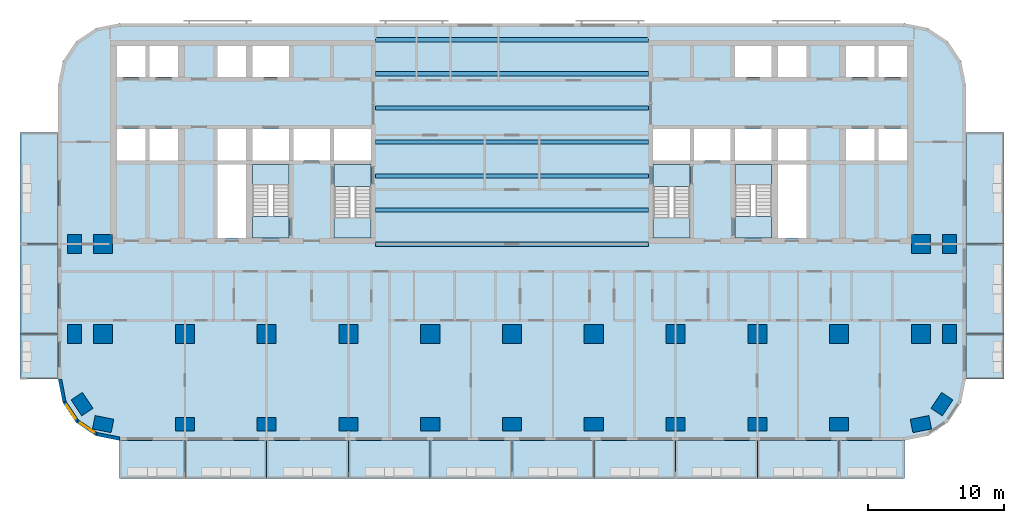
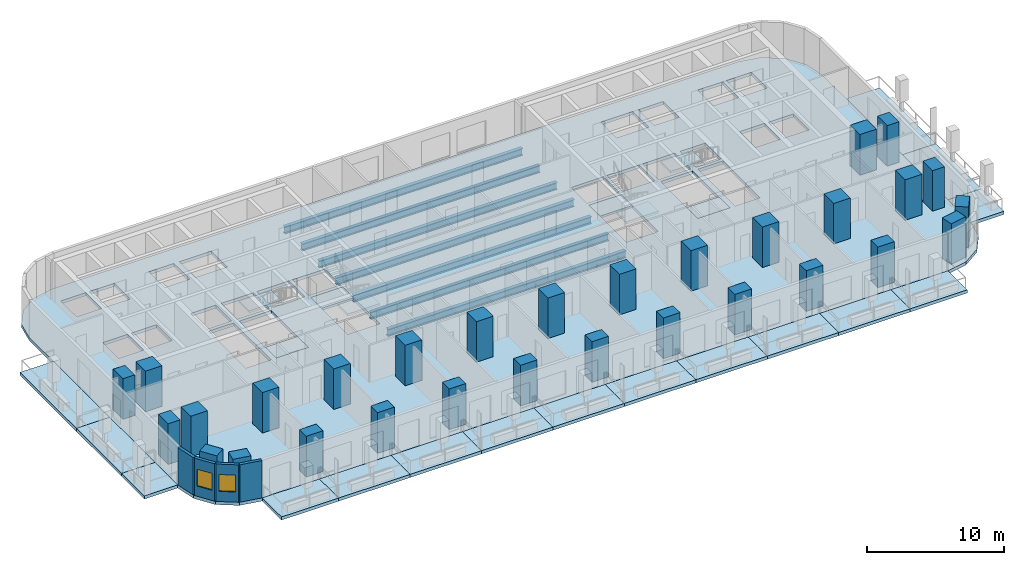
# One storey, part 1 of 14: 30 columns, 25 slabs, 7 beams, 4 walls, 2 windows, 2 openings, 4 elements without a shape of their own.
"""IFC4 building model written with IfcOpenShell, lengths in metres."""

from ifc_helpers import new_model, si_unit, direction, frame, frame_2d, origin, origin_2d, place, context, subcontext, project, spatial, polyline, rectangle, i_section, outline, extrude, material, layer, layer_set, material_profile, profile_set, type_object, element, fill, aggregate, save


model = new_model("IFC4")

# Units and contexts
model_context = context("Model", 3, precision=1e-05, world=origin(), true_north=direction((0.0, 1.0)))
body_context = subcontext(model_context, "Body", "Model", "MODEL_VIEW")
ifc_project = project(units=[si_unit("LENGTHUNIT", "METRE"), si_unit("AREAUNIT", "SQUARE_METRE"), si_unit("VOLUMEUNIT", "CUBIC_METRE"), si_unit("PLANEANGLEUNIT", "RADIAN"), si_unit("MASSUNIT", "GRAM", prefix="KILO")], contexts=[model_context])

# Site, building, storey
site_placement = place(None, origin())
site = spatial("IfcSite", under=ifc_project, at=site_placement, CompositionType="ELEMENT")
building_placement = place(site_placement, origin())
building = spatial("IfcBuilding", under=site, at=building_placement, Name="Torana Hotel and Residences", CompositionType="ELEMENT")
storey_placement = place(building_placement, frame((0.0, 0.0, 96.0)))
storey = spatial("IfcBuildingStorey", under=building, at=storey_placement, Name="L24", CompositionType="ELEMENT", Elevation=96.0)

# Columns
ifc_material_1 = material(Name="Concrete C70/85", Category="concrete")
ifc_material_profile_1 = material_profile(ifc_material_1, rectangle(XDim=1.39990234375, YDim=1.0, at=origin_2d()), Name="RC 1400x1000")
ifc_profile_set_1 = profile_set([ifc_material_profile_1], Name="Concrete C70/85")
column_type_1 = type_object("IfcColumnType", Name="COLUMN RC 1400x1000 C70/85", PredefinedType="COLUMN", material=ifc_profile_set_1)
for number, where, z_axis, x_axis, name in (
    (1, (-32.10009765625, -21.60009765625, 0.0), (0.0, 0.0, 1.0), (0.0, 1.0, 0.0), "Column L24"),
    (2, (-32.10009765625, -15.0, 0.0), (0.0, 0.0, 1.0), (0.0, 1.0, 0.0), "Column L24"),
    (3, (-31.5439453125, -26.73291015625, 0.0), (0.0, 0.0, 1.0), (-0.555584744817, 0.831459915646, 0.0), "Column L24"),
    (4, (-30.0, -28.199951171875, 0.0), (0.0, 0.0, 1.0), (-0.980792089743, 0.195056086032, 0.0), "Column L24"),
    (5, (-24.0, -28.199951171875, 0.0), (0.0, 0.0, 1.0), (1.0, 0.0, 0.0), "Column L24"),
    (6, (-18.0, -28.199951171875, 0.0), (0.0, 0.0, 1.0), (1.0, 0.0, 0.0), "Column L24"),
    (7, (-12.0, -28.199951171875, 0.0), (0.0, 0.0, 1.0), (1.0, 0.0, 0.0), "Column L24"),
    (8, (-6.0, -28.199951171875, 0.0), (0.0, 0.0, 1.0), (1.0, 0.0, 0.0), "Column L24"),
    (9, (0.0, -28.199951171875, 0.0), (0.0, 0.0, 1.0), (1.0, 0.0, 0.0), "Column L24"),
    (10, (6.0, -28.199951171875, 0.0), (0.0, 0.0, 1.0), (1.0, 0.0, 0.0), "Column L24"),
    (11, (12.0, -28.199951171875, 0.0), (0.0, 0.0, 1.0), (1.0, 0.0, 0.0), "Column L24"),
    (12, (18.0, -28.199951171875, 0.0), (0.0, 0.0, 1.0), (1.0, 0.0, 0.0), "Column L24"),
    (13, (24.0, -28.199951171875, 0.0), (0.0, 0.0, 1.0), (1.0, 0.0, 0.0), "Column L24"),
    (14, (30.0, -28.199951171875, 0.0), (0.0, 0.0, 1.0), (0.980792089743, 0.195056086032, 0.0), "Column L24"),
    (15, (31.5439453125, -26.73291015625, 0.0), (0.0, 0.0, 1.0), (0.555584744817, 0.831459915646, 0.0), "Column L24"),
    (16, (32.10009765625, -21.60009765625, 0.0), (0.0, 0.0, 1.0), (0.0, 1.0, 0.0), "Column L24"),
    (17, (32.10009765625, -15.0, 0.0), (0.0, 0.0, 1.0), (0.0, 1.0, 0.0), "Column L24"),
):
    element("IfcColumn", number, at=place(storey_placement, frame(where, z_axis=z_axis, x_axis=x_axis)), inside=storey, type_object=column_type_1, Name=name, PredefinedType="COLUMN", context=body_context, shape_type="SweptSolid", body=[
        extrude(rectangle(XDim=1.39990234375, YDim=1.0, at=origin_2d()), origin(), (0.0, 0.0, 1.0), 3.60009765625),
    ])
ifc_material_2 = material(Name="Concrete C70/85", Category="concrete")
ifc_material_profile_2 = material_profile(ifc_material_2, rectangle(XDim=1.39990234375, YDim=1.39990234375, at=origin_2d()), Name="RC 1400x1400")
ifc_profile_set_2 = profile_set([ifc_material_profile_2], Name="Concrete C70/85")
column_type_2 = type_object("IfcColumnType", Name="COLUMN RC 1400x1400 C70/85", PredefinedType="COLUMN", material=ifc_profile_set_2)
for number, where, z_axis, x_axis, name in (
    (18, (-30.0, -21.60009765625, 0.0), (0.0, 0.0, 1.0), (1.0, 0.0, 0.0), "Column L24"),
    (19, (-30.0, -15.0, 0.0), (0.0, 0.0, 1.0), (1.0, 0.0, 0.0), "Column L24"),
    (20, (-24.0, -21.60009765625, 0.0), (0.0, 0.0, 1.0), (1.0, 0.0, 0.0), "Column L24"),
    (21, (-18.0, -21.60009765625, 0.0), (0.0, 0.0, 1.0), (1.0, 0.0, 0.0), "Column L24"),
    (22, (-12.0, -21.60009765625, 0.0), (0.0, 0.0, 1.0), (1.0, 0.0, 0.0), "Column L24"),
    (23, (-6.0, -21.60009765625, 0.0), (0.0, 0.0, 1.0), (1.0, 0.0, 0.0), "Column L24"),
    (24, (0.0, -21.60009765625, 0.0), (0.0, 0.0, 1.0), (1.0, 0.0, 0.0), "Column L24"),
    (25, (6.0, -21.60009765625, 0.0), (0.0, 0.0, 1.0), (1.0, 0.0, 0.0), "Column L24"),
    (26, (12.0, -21.60009765625, 0.0), (0.0, 0.0, 1.0), (1.0, 0.0, 0.0), "Column L24"),
    (27, (18.0, -21.60009765625, 0.0), (0.0, 0.0, 1.0), (1.0, 0.0, 0.0), "Column L24"),
    (28, (24.0, -21.60009765625, 0.0), (0.0, 0.0, 1.0), (1.0, 0.0, 0.0), "Column L24"),
    (29, (30.0, -21.60009765625, 0.0), (0.0, 0.0, 1.0), (1.0, 0.0, 0.0), "Column L24"),
    (30, (30.0, -15.0, 0.0), (0.0, 0.0, 1.0), (1.0, 0.0, 0.0), "Column L24"),
):
    element("IfcColumn", number, at=place(storey_placement, frame(where, z_axis=z_axis, x_axis=x_axis)), inside=storey, type_object=column_type_2, Name=name, PredefinedType="COLUMN", context=body_context, shape_type="SweptSolid", body=[
        extrude(rectangle(XDim=1.39990234375, YDim=1.39990234375, at=origin_2d()), origin(), (0.0, 0.0, 1.0), 3.60009765625),
    ])

# Beams
ifc_material_3 = material(Name="Steel S355", Category="steel")
ifc_material_profile_3 = material_profile(ifc_material_3, i_section(OverallWidth=0.311279296875, OverallDepth=0.6357421875, WebThickness=0.018310546875, FlangeThickness=0.031494140625, FilletRadius=0.0166015625, at=origin_2d()), Name="610x305x238 UB")
ifc_profile_set_3 = profile_set([ifc_material_profile_3], Name="Steel S355")
beam_type = type_object("IfcBeamType", Name="STEEL GIRDER 610x305x238 UB", PredefinedType="BEAM", material=ifc_profile_set_3)
for number, where, z_axis, x_axis, name in (
    (31, (-10.0, -15.0, -0.597900390625), (1.0, 0.0, 0.0), (0.0, 1.0, 0.0), "Floor girder"),
    (32, (-10.0, -12.5, -0.597900390625), (1.0, 0.0, 0.0), (0.0, 1.0, 0.0), "Floor girder"),
    (33, (-10.0, -10.0, -0.597900390625), (1.0, 0.0, 0.0), (0.0, 1.0, 0.0), "Floor girder"),
    (34, (-10.0, -7.5, -0.597900390625), (1.0, 0.0, 0.0), (0.0, 1.0, 0.0), "Floor girder"),
    (35, (-10.0, -5.0, -0.597900390625), (1.0, 0.0, 0.0), (0.0, 1.0, 0.0), "Floor girder"),
    (36, (-10.0, -2.5, -0.597900390625), (1.0, 0.0, 0.0), (0.0, 1.0, 0.0), "Floor girder"),
    (37, (-10.0, 0.0, -0.597900390625), (1.0, 0.0, 0.0), (0.0, 1.0, 0.0), "Floor girder"),
):
    element("IfcBeam", number, at=place(storey_placement, frame(where, z_axis=z_axis, x_axis=x_axis)), inside=storey, type_object=beam_type, Name=name, PredefinedType="BEAM", context=body_context, shape_type="SweptSolid", body=[
        extrude(i_section(OverallWidth=0.311279296875, OverallDepth=0.6357421875, WebThickness=0.018310546875, FlangeThickness=0.031494140625, FilletRadius=0.0166015625, at=origin_2d()), origin(), (0.0, 0.0, 1.0), 20.0),
    ])

# Slabs
ifc_material_4 = material(Name="Concrete C40/50", Category="concrete")
ifc_layer_1 = layer(ifc_material_4, 0.280029296875)
ifc_layer_set_1 = layer_set([ifc_layer_1], Name="BAL1 BALCONY SLAB 280")
slab_type_1 = type_object("IfcSlabType", Name="BAL1 BALCONY SLAB 280", PredefinedType="USERDEFINED", material=ifc_layer_set_1)
slab_1_placement = place(storey_placement, frame((0.0, 0.0, -0.280029296875)))
element("IfcSlab", 38, at=slab_1_placement, inside=storey, type_object=slab_type_1, Name="Balcony 01", ObjectType="BALCONY", PredefinedType="USERDEFINED", context=body_context, shape_type="SweptSolid", body=[
    extrude(outline(polyline([(-28.800048828125, -32.199951171875), (-24.0, -32.199951171875), (-24.0, -29.39990234375), (-28.800048828125, -29.39990234375), (-28.800048828125, -32.199951171875)])), origin(), (0.0, 0.0, 1.0), 0.280029296875),
])
slab_2_placement = place(storey_placement, frame((0.0, 0.0, -0.280029296875)))
element("IfcSlab", 39, at=slab_2_placement, inside=storey, type_object=slab_type_1, Name="Balcony 02", ObjectType="BALCONY", PredefinedType="USERDEFINED", context=body_context, shape_type="SweptSolid", body=[
    extrude(outline(polyline([(-24.0, -32.199951171875), (-18.0, -32.199951171875), (-18.0, -29.39990234375), (-24.0, -29.39990234375), (-24.0, -32.199951171875)])), origin(), (0.0, 0.0, 1.0), 0.280029296875),
])
slab_3_placement = place(storey_placement, frame((0.0, 0.0, -0.280029296875)))
element("IfcSlab", 40, at=slab_3_placement, inside=storey, type_object=slab_type_1, Name="Balcony 03", ObjectType="BALCONY", PredefinedType="USERDEFINED", context=body_context, shape_type="SweptSolid", body=[
    extrude(outline(polyline([(-18.0, -32.199951171875), (-12.0, -32.199951171875), (-12.0, -29.39990234375), (-18.0, -29.39990234375), (-18.0, -32.199951171875)])), origin(), (0.0, 0.0, 1.0), 0.280029296875),
])
slab_4_placement = place(storey_placement, frame((0.0, 0.0, -0.280029296875)))
element("IfcSlab", 41, at=slab_4_placement, inside=storey, type_object=slab_type_1, Name="Balcony 04", ObjectType="BALCONY", PredefinedType="USERDEFINED", context=body_context, shape_type="SweptSolid", body=[
    extrude(outline(polyline([(-12.0, -32.199951171875), (-6.0, -32.199951171875), (-6.0, -29.39990234375), (-12.0, -29.39990234375), (-12.0, -32.199951171875)])), origin(), (0.0, 0.0, 1.0), 0.280029296875),
])
slab_5_placement = place(storey_placement, frame((0.0, 0.0, -0.280029296875)))
element("IfcSlab", 42, at=slab_5_placement, inside=storey, type_object=slab_type_1, Name="Balcony 05", ObjectType="BALCONY", PredefinedType="USERDEFINED", context=body_context, shape_type="SweptSolid", body=[
    extrude(outline(polyline([(-6.0, -32.199951171875), (0.0, -32.199951171875), (0.0, -29.39990234375), (-6.0, -29.39990234375), (-6.0, -32.199951171875)])), origin(), (0.0, 0.0, 1.0), 0.280029296875),
])
slab_6_placement = place(storey_placement, frame((0.0, 0.0, -0.280029296875)))
element("IfcSlab", 43, at=slab_6_placement, inside=storey, type_object=slab_type_1, Name="Balcony 06", ObjectType="BALCONY", PredefinedType="USERDEFINED", context=body_context, shape_type="SweptSolid", body=[
    extrude(outline(polyline([(0.0, -32.199951171875), (6.0, -32.199951171875), (6.0, -29.39990234375), (0.0, -29.39990234375), (0.0, -32.199951171875)])), origin(), (0.0, 0.0, 1.0), 0.280029296875),
])
slab_7_placement = place(storey_placement, frame((0.0, 0.0, -0.280029296875)))
element("IfcSlab", 44, at=slab_7_placement, inside=storey, type_object=slab_type_1, Name="Balcony 07", ObjectType="BALCONY", PredefinedType="USERDEFINED", context=body_context, shape_type="SweptSolid", body=[
    extrude(outline(polyline([(6.0, -32.199951171875), (12.0, -32.199951171875), (12.0, -29.39990234375), (6.0, -29.39990234375), (6.0, -32.199951171875)])), origin(), (0.0, 0.0, 1.0), 0.280029296875),
])
slab_8_placement = place(storey_placement, frame((0.0, 0.0, -0.280029296875)))
element("IfcSlab", 45, at=slab_8_placement, inside=storey, type_object=slab_type_1, Name="Balcony 08", ObjectType="BALCONY", PredefinedType="USERDEFINED", context=body_context, shape_type="SweptSolid", body=[
    extrude(outline(polyline([(12.0, -32.199951171875), (18.0, -32.199951171875), (18.0, -29.39990234375), (12.0, -29.39990234375), (12.0, -32.199951171875)])), origin(), (0.0, 0.0, 1.0), 0.280029296875),
])
slab_9_placement = place(storey_placement, frame((0.0, 0.0, -0.280029296875)))
element("IfcSlab", 46, at=slab_9_placement, inside=storey, type_object=slab_type_1, Name="Balcony 09", ObjectType="BALCONY", PredefinedType="USERDEFINED", context=body_context, shape_type="SweptSolid", body=[
    extrude(outline(polyline([(18.0, -32.199951171875), (24.0, -32.199951171875), (24.0, -29.39990234375), (18.0, -29.39990234375), (18.0, -32.199951171875)])), origin(), (0.0, 0.0, 1.0), 0.280029296875),
])
slab_10_placement = place(storey_placement, frame((0.0, 0.0, -0.280029296875)))
element("IfcSlab", 47, at=slab_10_placement, inside=storey, type_object=slab_type_1, Name="Balcony 10", ObjectType="BALCONY", PredefinedType="USERDEFINED", context=body_context, shape_type="SweptSolid", body=[
    extrude(outline(polyline([(24.0, -32.199951171875), (28.800048828125, -32.199951171875), (28.800048828125, -29.39990234375), (24.0, -29.39990234375), (24.0, -32.199951171875)])), origin(), (0.0, 0.0, 1.0), 0.280029296875),
])
slab_11_placement = place(storey_placement, frame((0.0, 0.0, -0.280029296875)))
element("IfcSlab", 48, at=slab_11_placement, inside=storey, type_object=slab_type_1, Name="Balcony 11", ObjectType="BALCONY", PredefinedType="USERDEFINED", context=body_context, shape_type="SweptSolid", body=[
    extrude(outline(polyline([(-36.10009765625, -24.89990234375), (-33.300048828125, -24.89990234375), (-33.300048828125, -21.60009765625), (-36.10009765625, -21.60009765625), (-36.10009765625, -24.89990234375)])), origin(), (0.0, 0.0, 1.0), 0.280029296875),
])
slab_12_placement = place(storey_placement, frame((0.0, 0.0, -0.280029296875)))
element("IfcSlab", 49, at=slab_12_placement, inside=storey, type_object=slab_type_1, Name="Balcony 12", ObjectType="BALCONY", PredefinedType="USERDEFINED", context=body_context, shape_type="SweptSolid", body=[
    extrude(outline(polyline([(-36.10009765625, -21.60009765625), (-33.300048828125, -21.60009765625), (-33.300048828125, -15.0), (-36.10009765625, -15.0), (-36.10009765625, -21.60009765625)])), origin(), (0.0, 0.0, 1.0), 0.280029296875),
])
slab_13_placement = place(storey_placement, frame((0.0, 0.0, -0.280029296875)))
element("IfcSlab", 50, at=slab_13_placement, inside=storey, type_object=slab_type_1, Name="Balcony 13", ObjectType="BALCONY", PredefinedType="USERDEFINED", context=body_context, shape_type="SweptSolid", body=[
    extrude(outline(polyline([(-36.10009765625, -15.0), (-33.300048828125, -15.0), (-33.300048828125, -6.800048828125), (-36.10009765625, -6.800048828125), (-36.10009765625, -15.0)])), origin(), (0.0, 0.0, 1.0), 0.280029296875),
])
slab_14_placement = place(storey_placement, frame((0.0, 0.0, -0.280029296875)))
element("IfcSlab", 51, at=slab_14_placement, inside=storey, type_object=slab_type_1, Name="Balcony 14", ObjectType="BALCONY", PredefinedType="USERDEFINED", context=body_context, shape_type="SweptSolid", body=[
    extrude(outline(polyline([(33.300048828125, -24.89990234375), (36.10009765625, -24.89990234375), (36.10009765625, -21.60009765625), (33.300048828125, -21.60009765625), (33.300048828125, -24.89990234375)])), origin(), (0.0, 0.0, 1.0), 0.280029296875),
])
slab_15_placement = place(storey_placement, frame((0.0, 0.0, -0.280029296875)))
element("IfcSlab", 52, at=slab_15_placement, inside=storey, type_object=slab_type_1, Name="Balcony 15", ObjectType="BALCONY", PredefinedType="USERDEFINED", context=body_context, shape_type="SweptSolid", body=[
    extrude(outline(polyline([(33.300048828125, -21.60009765625), (36.10009765625, -21.60009765625), (36.10009765625, -15.0), (33.300048828125, -15.0), (33.300048828125, -21.60009765625)])), origin(), (0.0, 0.0, 1.0), 0.280029296875),
])
slab_16_placement = place(storey_placement, frame((0.0, 0.0, -0.280029296875)))
element("IfcSlab", 53, at=slab_16_placement, inside=storey, type_object=slab_type_1, Name="Balcony 16", ObjectType="BALCONY", PredefinedType="USERDEFINED", context=body_context, shape_type="SweptSolid", body=[
    extrude(outline(polyline([(33.300048828125, -15.0), (36.10009765625, -15.0), (36.10009765625, -6.800048828125), (33.300048828125, -6.800048828125), (33.300048828125, -15.0)])), origin(), (0.0, 0.0, 1.0), 0.280029296875),
])
ifc_material_5 = material(Name="Concrete C40/50", Category="concrete")
ifc_layer_2 = layer(ifc_material_5, 0.280029296875)
ifc_layer_set_2 = layer_set([ifc_layer_2], Name="FLOOR SLAB PT 280")
slab_type_2 = type_object("IfcSlabType", Name="FLOOR SLAB PT 280", PredefinedType="FLOOR", material=ifc_layer_set_2)
slab_17_placement = place(storey_placement, frame((0.0, 0.0, -0.280029296875)))
element("IfcSlab", 54, at=slab_17_placement, inside=storey, type_object=slab_type_2, Name="Floor slab", PredefinedType="FLOOR", context=body_context, shape_type="SweptSolid", body=[
    extrude(outline(polyline([(33.300048828125, -3.300048828125), (32.95751953125, -1.577880859375), (31.98193359375, -0.117919921875), (30.522216796875, 0.857421875), (28.800048828125, 1.199951171875), (-28.800048828125, 1.199951171875), (-30.522216796875, 0.857421875), (-31.98193359375, -0.117919921875), (-32.95751953125, -1.577880859375), (-33.300048828125, -3.300048828125), (-33.300048828125, -24.89990234375), (-32.95751953125, -26.6220703125), (-31.98193359375, -28.08203125), (-30.522216796875, -29.0576171875), (-28.800048828125, -29.39990234375), (28.800048828125, -29.39990234375), (30.522216796875, -29.0576171875), (31.98193359375, -28.08203125), (32.95751953125, -26.6220703125), (33.300048828125, -24.89990234375), (33.300048828125, -3.300048828125)]), holes=[polyline([(-13.050048828125, -14.550048828125), (-10.35009765625, -14.550048828125), (-10.35009765625, -9.14990234375), (-13.050048828125, -9.14990234375), (-13.050048828125, -14.550048828125)]), polyline([(-19.050048828125, -14.550048828125), (-16.35009765625, -14.550048828125), (-16.35009765625, -9.14990234375), (-19.050048828125, -9.14990234375), (-19.050048828125, -14.550048828125)]), polyline([(-19.050048828125, -2.75), (-16.35009765625, -2.75), (-16.35009765625, -0.449951171875), (-19.050048828125, -0.449951171875), (-19.050048828125, -2.75)]), polyline([(-26.60009765625, -2.75), (-24.5, -2.75), (-24.5, -0.449951171875), (-26.60009765625, -0.449951171875), (-26.60009765625, -2.75)]), polyline([(-29.0, -2.75), (-26.89990234375, -2.75), (-26.89990234375, -0.449951171875), (-29.0, -0.449951171875), (-29.0, -2.75)]), polyline([(-26.60009765625, -8.85009765625), (-24.5, -8.85009765625), (-24.5, -6.550048828125), (-26.60009765625, -6.550048828125), (-26.60009765625, -8.85009765625)]), polyline([(-29.0, -8.85009765625), (-26.89990234375, -8.85009765625), (-26.89990234375, -6.550048828125), (-29.0, -6.550048828125), (-29.0, -8.85009765625)]), polyline([(-21.60009765625, -2.75), (-19.5, -2.75), (-19.5, -0.449951171875), (-21.60009765625, -0.449951171875), (-21.60009765625, -2.75)]), polyline([(-21.60009765625, -8.85009765625), (-19.5, -8.85009765625), (-19.5, -6.550048828125), (-21.60009765625, -6.550048828125), (-21.60009765625, -8.85009765625)]), polyline([(-13.050048828125, -8.85009765625), (-10.35009765625, -8.85009765625), (-10.35009765625, -6.550048828125), (-13.050048828125, -6.550048828125), (-13.050048828125, -8.85009765625)]), polyline([(-16.050048828125, -8.85009765625), (-13.35009765625, -8.85009765625), (-13.35009765625, -6.550048828125), (-16.050048828125, -6.550048828125), (-16.050048828125, -8.85009765625)]), polyline([(-19.050048828125, -8.85009765625), (-16.35009765625, -8.85009765625), (-16.35009765625, -6.550048828125), (-19.050048828125, -6.550048828125), (-19.050048828125, -8.85009765625)]), polyline([(-21.60009765625, -14.550048828125), (-19.5, -14.550048828125), (-19.5, -9.14990234375), (-21.60009765625, -9.14990234375), (-21.60009765625, -14.550048828125)]), polyline([(10.35009765625, -14.550048828125), (13.050048828125, -14.550048828125), (13.050048828125, -9.14990234375), (10.35009765625, -9.14990234375), (10.35009765625, -14.550048828125)]), polyline([(16.35009765625, -14.550048828125), (19.050048828125, -14.550048828125), (19.050048828125, -9.14990234375), (16.35009765625, -9.14990234375), (16.35009765625, -14.550048828125)]), polyline([(16.35009765625, -2.75), (19.050048828125, -2.75), (19.050048828125, -0.449951171875), (16.35009765625, -0.449951171875), (16.35009765625, -2.75)]), polyline([(24.5, -2.75), (26.60009765625, -2.75), (26.60009765625, -0.449951171875), (24.5, -0.449951171875), (24.5, -2.75)]), polyline([(26.89990234375, -2.75), (29.0, -2.75), (29.0, -0.449951171875), (26.89990234375, -0.449951171875), (26.89990234375, -2.75)]), polyline([(24.5, -8.85009765625), (26.60009765625, -8.85009765625), (26.60009765625, -6.550048828125), (24.5, -6.550048828125), (24.5, -8.85009765625)]), polyline([(26.89990234375, -8.85009765625), (29.0, -8.85009765625), (29.0, -6.550048828125), (26.89990234375, -6.550048828125), (26.89990234375, -8.85009765625)]), polyline([(19.5, -2.75), (21.60009765625, -2.75), (21.60009765625, -0.449951171875), (19.5, -0.449951171875), (19.5, -2.75)]), polyline([(19.5, -8.85009765625), (21.60009765625, -8.85009765625), (21.60009765625, -6.550048828125), (19.5, -6.550048828125), (19.5, -8.85009765625)]), polyline([(10.35009765625, -8.85009765625), (13.050048828125, -8.85009765625), (13.050048828125, -6.550048828125), (10.35009765625, -6.550048828125), (10.35009765625, -8.85009765625)]), polyline([(13.35009765625, -8.85009765625), (16.050048828125, -8.85009765625), (16.050048828125, -6.550048828125), (13.35009765625, -6.550048828125), (13.35009765625, -8.85009765625)]), polyline([(16.35009765625, -8.85009765625), (19.050048828125, -8.85009765625), (19.050048828125, -6.550048828125), (16.35009765625, -6.550048828125), (16.35009765625, -8.85009765625)]), polyline([(19.5, -14.550048828125), (21.60009765625, -14.550048828125), (21.60009765625, -9.14990234375), (19.5, -9.14990234375), (19.5, -14.550048828125)])]), origin(), (0.0, 0.0, 1.0), 0.280029296875),
])

# Stair, slabs
ifc_material_6 = material(Name="Concrete C40/50 precast", Category="concrete")
stair_type_1 = type_object("IfcStairType", Name="STAIR ST1 HALF TURN 1200", PredefinedType="HALF_TURN_STAIR", material=ifc_material_6)
stair_1_placement = place(storey_placement, origin())
stair_1 = element("IfcStair", 55, at=stair_1_placement, inside=storey, type_object=stair_type_1, Name="Stair ST1 L24", PredefinedType="HALF_TURN_STAIR")
ifc_material_7 = material(Name="Concrete C40/50 precast", Category="concrete")
ifc_layer_3 = layer(ifc_material_7, 0.199951171875)
ifc_layer_set_3 = layer_set([ifc_layer_3], Name="STAIR LANDING 200")
slab_type_3 = type_object("IfcSlabType", Name="STAIR LANDING 200", PredefinedType="LANDING", material=ifc_layer_set_3)
slab_18_placement = place(storey_placement, frame((0.0, 0.0, 1.60009765625)))
slab_18 = element("IfcSlab", 56, at=slab_18_placement, type_object=slab_type_3, Name="ST1 landing 1", PredefinedType="LANDING", context=body_context, shape_type="SweptSolid", body=[
    extrude(outline(polyline([(-13.050048828125, -14.550048828125), (-10.35009765625, -14.550048828125), (-10.35009765625, -13.090087890625), (-13.050048828125, -13.090087890625), (-13.050048828125, -14.550048828125)])), origin(), (0.0, 0.0, 1.0), 0.199951171875),
])
slab_19_placement = place(storey_placement, frame((0.0, 0.0, -0.199951171875)))
slab_19 = element("IfcSlab", 57, at=slab_19_placement, type_object=slab_type_3, Name="ST1 landing 2", PredefinedType="LANDING", context=body_context, shape_type="SweptSolid", body=[
    extrude(outline(polyline([(-13.050048828125, -10.75), (-10.35009765625, -10.75), (-10.35009765625, -9.14990234375), (-13.050048828125, -9.14990234375), (-13.050048828125, -10.75)])), origin(), (0.0, 0.0, 1.0), 0.199951171875),
])
aggregate(stair_1, [slab_18, slab_19])

ifc_material_8 = material(Name="Concrete C40/50 precast", Category="concrete")
stair_type_2 = type_object("IfcStairType", Name="STAIR ST2 HALF TURN 1200", PredefinedType="HALF_TURN_STAIR", material=ifc_material_8)
stair_2_placement = place(storey_placement, origin())
stair_2 = element("IfcStair", 58, at=stair_2_placement, inside=storey, type_object=stair_type_2, Name="Stair ST2 L24", PredefinedType="HALF_TURN_STAIR")
slab_20_placement = place(storey_placement, frame((0.0, 0.0, 1.60009765625)))
slab_20 = element("IfcSlab", 59, at=slab_20_placement, type_object=slab_type_3, Name="ST2 landing 1", PredefinedType="LANDING", context=body_context, shape_type="SweptSolid", body=[
    extrude(outline(polyline([(-19.050048828125, -10.610107421875), (-16.35009765625, -10.610107421875), (-16.35009765625, -9.14990234375), (-19.050048828125, -9.14990234375), (-19.050048828125, -10.610107421875)])), origin(), (0.0, 0.0, 1.0), 0.199951171875),
])
slab_21_placement = place(storey_placement, frame((0.0, 0.0, -0.199951171875)))
slab_21 = element("IfcSlab", 60, at=slab_21_placement, type_object=slab_type_3, Name="ST2 landing 2", PredefinedType="LANDING", context=body_context, shape_type="SweptSolid", body=[
    extrude(outline(polyline([(-19.050048828125, -14.550048828125), (-16.35009765625, -14.550048828125), (-16.35009765625, -12.949951171875), (-19.050048828125, -12.949951171875), (-19.050048828125, -14.550048828125)])), origin(), (0.0, 0.0, 1.0), 0.199951171875),
])
aggregate(stair_2, [slab_20, slab_21])

ifc_material_9 = material(Name="Concrete C40/50 precast", Category="concrete")
stair_type_3 = type_object("IfcStairType", Name="STAIR ST3 HALF TURN 1200", PredefinedType="HALF_TURN_STAIR", material=ifc_material_9)
stair_3_placement = place(storey_placement, origin())
stair_3 = element("IfcStair", 61, at=stair_3_placement, inside=storey, type_object=stair_type_3, Name="Stair ST3 L24", PredefinedType="HALF_TURN_STAIR")
slab_22_placement = place(storey_placement, frame((0.0, 0.0, 1.60009765625)))
slab_22 = element("IfcSlab", 62, at=slab_22_placement, type_object=slab_type_3, Name="ST3 landing 1", PredefinedType="LANDING", context=body_context, shape_type="SweptSolid", body=[
    extrude(outline(polyline([(10.35009765625, -14.550048828125), (13.050048828125, -14.550048828125), (13.050048828125, -13.090087890625), (10.35009765625, -13.090087890625), (10.35009765625, -14.550048828125)])), origin(), (0.0, 0.0, 1.0), 0.199951171875),
])
slab_23_placement = place(storey_placement, frame((0.0, 0.0, -0.199951171875)))
slab_23 = element("IfcSlab", 63, at=slab_23_placement, type_object=slab_type_3, Name="ST3 landing 2", PredefinedType="LANDING", context=body_context, shape_type="SweptSolid", body=[
    extrude(outline(polyline([(10.35009765625, -10.75), (13.050048828125, -10.75), (13.050048828125, -9.14990234375), (10.35009765625, -9.14990234375), (10.35009765625, -10.75)])), origin(), (0.0, 0.0, 1.0), 0.199951171875),
])
aggregate(stair_3, [slab_22, slab_23])

ifc_material_10 = material(Name="Concrete C40/50 precast", Category="concrete")
stair_type_4 = type_object("IfcStairType", Name="STAIR ST4 HALF TURN 1200", PredefinedType="HALF_TURN_STAIR", material=ifc_material_10)
stair_4_placement = place(storey_placement, origin())
stair_4 = element("IfcStair", 64, at=stair_4_placement, inside=storey, type_object=stair_type_4, Name="Stair ST4 L24", PredefinedType="HALF_TURN_STAIR")
slab_24_placement = place(storey_placement, frame((0.0, 0.0, 1.60009765625)))
slab_24 = element("IfcSlab", 65, at=slab_24_placement, type_object=slab_type_3, Name="ST4 landing 1", PredefinedType="LANDING", context=body_context, shape_type="SweptSolid", body=[
    extrude(outline(polyline([(16.35009765625, -10.610107421875), (19.050048828125, -10.610107421875), (19.050048828125, -9.14990234375), (16.35009765625, -9.14990234375), (16.35009765625, -10.610107421875)])), origin(), (0.0, 0.0, 1.0), 0.199951171875),
])
slab_25_placement = place(storey_placement, frame((0.0, 0.0, -0.199951171875)))
slab_25 = element("IfcSlab", 66, at=slab_25_placement, type_object=slab_type_3, Name="ST4 landing 2", PredefinedType="LANDING", context=body_context, shape_type="SweptSolid", body=[
    extrude(outline(polyline([(16.35009765625, -14.550048828125), (19.050048828125, -14.550048828125), (19.050048828125, -12.949951171875), (16.35009765625, -12.949951171875), (16.35009765625, -14.550048828125)])), origin(), (0.0, 0.0, 1.0), 0.199951171875),
])
aggregate(stair_4, [slab_24, slab_25])

# Wall
ifc_material_11 = material(Name="Black aluminium composite panel", Category="aluminium")
ifc_layer_4 = layer(ifc_material_11, 0.00390625, Name="Cladding", Category="cladding")
ifc_material_12 = material(Name="Ventilated air cavity")
ifc_layer_5 = layer(ifc_material_12, 0.0400390625, Name="Ventilated cavity", Category="cavity")
ifc_material_13 = material(Name="Mineral wool insulation")
ifc_layer_6 = layer(ifc_material_13, 0.090087890625, Name="Insulation", Category="insulation")
ifc_material_14 = material(Name="Steel S280GD", Category="steel")
ifc_layer_7 = layer(ifc_material_14, 0.092041015625, Name="Steel stud frame", Category="structure")
ifc_material_15 = material(Name="Fire rated plasterboard")
ifc_layer_8 = layer(ifc_material_15, 0.011962890625, Name="Inner board", Category="finish")
ifc_layer_9 = layer(ifc_material_15, 0.011962890625, Name="Second board", Category="finish")
ifc_layer_set_4 = layer_set([ifc_layer_4, ifc_layer_5, ifc_layer_6, ifc_layer_7, ifc_layer_8, ifc_layer_9], Name="EW1 EXTERNAL WALL BLACK METAL CLAD 250")
wall_type = type_object("IfcWallType", Name="EW1 EXTERNAL WALL BLACK METAL CLAD 250", PredefinedType="SOLIDWALL", material=ifc_layer_set_4)
wall_1_placement = place(storey_placement, frame((-33.172607421875, -24.89990234375, 0.0), z_axis=(0.0, 0.0, 1.0), x_axis=(0.195166572128, -0.980770110232, 0.0)))
element("IfcWall", 67, at=wall_1_placement, inside=storey, type_object=wall_type, Name="External wall L24 e0.10", PredefinedType="SOLIDWALL", context=body_context, shape_type="SweptSolid", body=[
    extrude(rectangle(XDim=1.68115234375, YDim=0.25, at=frame_2d((0.840576171875, 0.0))), origin(), (0.0, 0.0, 1.0), 3.320068359375),
])

# Wall, opening, window
wall_2_placement = place(storey_placement, frame((-32.825927734375, -26.593994140625, 0.0), z_axis=(0.0, 0.0, 1.0), x_axis=(0.55555029066, -0.831482937015, 0.0)))
wall_2 = element("IfcWall", 68, at=wall_2_placement, inside=storey, type_object=wall_type, Name="External wall L24 e0.11", PredefinedType="SOLIDWALL", context=body_context, shape_type="SweptSolid", body=[
    extrude(rectangle(XDim=1.65625, YDim=0.25, at=frame_2d((0.828125, 0.0))), origin(), (0.0, 0.0, 1.0), 3.320068359375),
])
opening_1_placement = place(wall_2_placement, frame((0.228271484375, 0.0, 0.89990234375)))
opening_1 = element("IfcOpeningElement", 69, at=opening_1_placement, cuts=wall_2, Name="Opening W5", PredefinedType="OPENING", context=body_context, shape_type="SweptSolid", body=[
    extrude(rectangle(XDim=1.199951171875, YDim=1.5, at=frame_2d((0.60009765625, 0.75))), frame((0.0, 0.135009765625, 0.0), z_axis=(0.0, -1.0, 0.0), x_axis=(1.0, 0.0, 0.0)), (0.0, 0.0, 1.0), 0.27001953125),
])
ifc_material_16 = material(Name="Dark glass in black aluminium frame", Category="aluminium")
window_type = type_object("IfcWindowType", Name="W5 CORNER FACET WINDOW 1200x1500", PartitioningType="SINGLE_PANEL", PredefinedType="WINDOW", material=ifc_material_16)
window_1_placement = place(opening_1_placement, origin())
window_1 = element("IfcWindow", 70, at=window_1_placement, inside=storey, type_object=window_type, Name="Window L24 e0.11", OverallHeight=1.5, OverallWidth=1.199951171875, PartitioningType="SINGLE_PANEL", PredefinedType="WINDOW", context=body_context, shape_type="SweptSolid", body=[
    extrude(rectangle(XDim=1.199951171875, YDim=1.5, at=frame_2d((0.60009765625, 0.75))), frame((0.0, 0.030029296875, 0.0), z_axis=(0.0, -1.0, 0.0), x_axis=(1.0, 0.0, 0.0)), (0.0, 0.0, 1.0), 0.06005859375),
])
fill(opening_1, window_1)

wall_3_placement = place(storey_placement, frame((-31.87109375, -28.005615234375, 0.0), z_axis=(0.0, 0.0, 1.0), x_axis=(0.831482937015, -0.55555029066, 0.0)))
wall_3 = element("IfcWall", 71, at=wall_3_placement, inside=storey, type_object=wall_type, Name="External wall L24 e0.12", PredefinedType="SOLIDWALL", context=body_context, shape_type="SweptSolid", body=[
    extrude(rectangle(XDim=1.65625, YDim=0.25, at=frame_2d((0.828125, 0.0))), origin(), (0.0, 0.0, 1.0), 3.320068359375),
])
opening_2_placement = place(wall_3_placement, frame((0.228271484375, 0.0, 0.89990234375)))
opening_2 = element("IfcOpeningElement", 72, at=opening_2_placement, cuts=wall_3, Name="Opening W5", PredefinedType="OPENING", context=body_context, shape_type="SweptSolid", body=[
    extrude(rectangle(XDim=1.199951171875, YDim=1.5, at=frame_2d((0.60009765625, 0.75))), frame((0.0, 0.135009765625, 0.0), z_axis=(0.0, -1.0, 0.0), x_axis=(1.0, 0.0, 0.0)), (0.0, 0.0, 1.0), 0.27001953125),
])
window_2_placement = place(opening_2_placement, origin())
window_2 = element("IfcWindow", 73, at=window_2_placement, inside=storey, type_object=window_type, Name="Window L24 e0.12", OverallHeight=1.5, OverallWidth=1.199951171875, PartitioningType="SINGLE_PANEL", PredefinedType="WINDOW", context=body_context, shape_type="SweptSolid", body=[
    extrude(rectangle(XDim=1.199951171875, YDim=1.5, at=frame_2d((0.60009765625, 0.75))), frame((0.0, 0.030029296875, 0.0), z_axis=(0.0, -1.0, 0.0), x_axis=(1.0, 0.0, 0.0)), (0.0, 0.0, 1.0), 0.06005859375),
])
fill(opening_2, window_2)

# Wall
wall_4_placement = place(storey_placement, frame((-30.448974609375, -28.944580078125, 0.0), z_axis=(0.0, 0.0, 1.0), x_axis=(0.980775640221, -0.19513878023, 0.0)))
element("IfcWall", 74, at=wall_4_placement, inside=storey, type_object=wall_type, Name="External wall L24 e0.13", PredefinedType="SOLIDWALL", context=body_context, shape_type="SweptSolid", body=[
    extrude(rectangle(XDim=1.681396484375, YDim=0.25, at=frame_2d((0.8408203125, 0.0))), origin(), (0.0, 0.0, 1.0), 3.320068359375),
])

save(model, "model.ifc")
